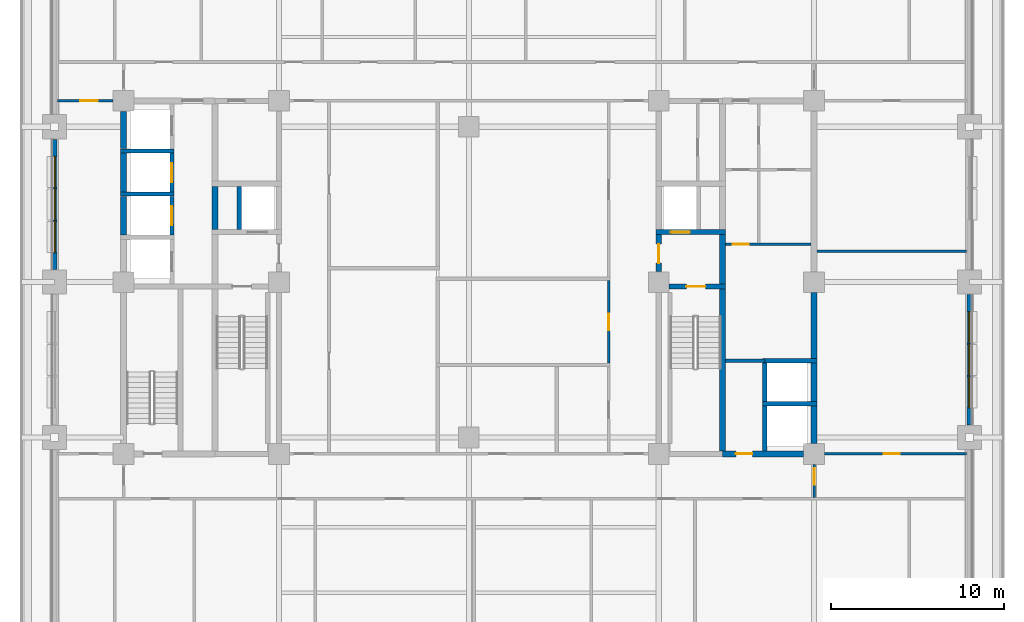
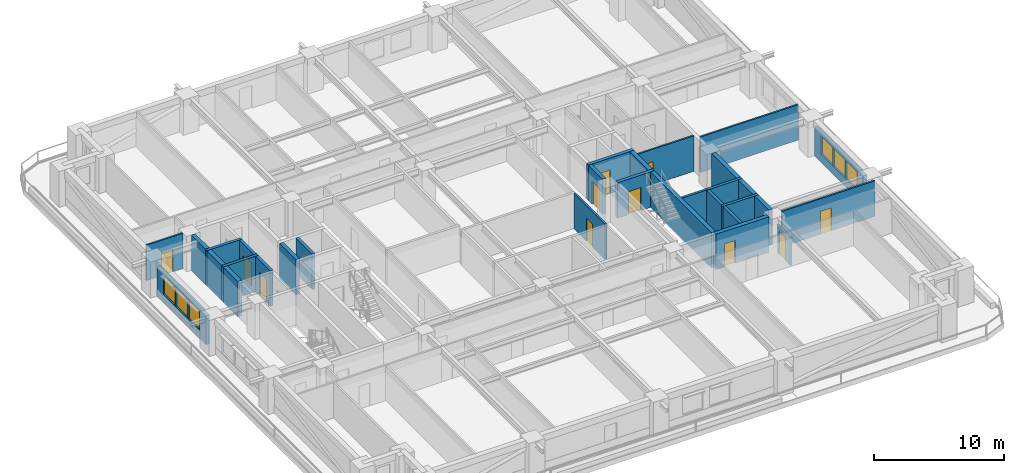
# One storey, part 4 of 15: 31 walls, 11 doors, 6 windows, 17 openings.
"""IFC4 building model written with IfcOpenShell, lengths in metres."""

from ifc_helpers import new_model, si_unit, direction, frame, frame_2d, origin, place, context, subcontext, project, spatial, rectangle, extrude, material, layer, layer_set, type_object, element, fill, save


model = new_model("IFC4")

# Units and contexts
model_context = context("Model", 3, precision=1e-05, world=origin(), true_north=direction((0.0, 1.0)))
body_context = subcontext(model_context, "Body", "Model", "MODEL_VIEW")
ifc_project = project(units=[si_unit("LENGTHUNIT", "METRE"), si_unit("AREAUNIT", "SQUARE_METRE"), si_unit("VOLUMEUNIT", "CUBIC_METRE"), si_unit("PLANEANGLEUNIT", "RADIAN"), si_unit("MASSUNIT", "GRAM", prefix="KILO")], contexts=[model_context])

# Site, building, storey
site_placement = place(None, origin())
site = spatial("IfcSite", under=ifc_project, at=site_placement, CompositionType="ELEMENT")
building_placement = place(site_placement, origin())
building = spatial("IfcBuilding", under=site, at=building_placement, Name="Zulmaris Gate Convention Tower", CompositionType="ELEMENT")
storey_placement = place(building_placement, frame((0.0, 0.0, 37.909912109375)))
storey = spatial("IfcBuildingStorey", under=building, at=storey_placement, Name="L08", CompositionType="ELEMENT", Elevation=37.909912109375)

# Walls
ifc_material_1 = material(Name="Concrete C50/60", Category="concrete")
ifc_layer_1 = layer(ifc_material_1, 0.25, Name="Concrete C50/60")
ifc_layer_set_1 = layer_set([ifc_layer_1], Name="Concrete C50/60")
wall_type_1 = type_object("IfcWallType", Name="CORE-250", PredefinedType="SOLIDWALL", material=ifc_layer_set_1)
for number, where, z_axis, x_axis, name in (
    (1, (17.02490234375, -7.050048828125, 0.0), (0.0, 0.0, 1.0), (1.0, 0.0, 0.0), "WL-L08-005"),
    (2, (17.02490234375, -4.550048828125, 0.0), (0.0, 0.0, 1.0), (1.0, 0.0, 0.0), "WL-L08-006"),
):
    element("IfcWall", number, at=place(storey_placement, frame(where, z_axis=z_axis, x_axis=x_axis)), inside=storey, type_object=wall_type_1, Name=name, PredefinedType="SOLIDWALL", context=body_context, shape_type="SweptSolid", body=[
        extrude(rectangle(XDim=3.150146484375, YDim=0.25, at=frame_2d((1.5751953125, 0.0))), origin(), (0.0, 0.0, 1.0), 3.320068359375),
    ])
for number, where, z_axis, x_axis, name in (
    (3, (-20.175048828125, 5.10009765625, 0.0), (0.0, 0.0, 1.0), (1.0, 0.0, 0.0), "WL-L08-012"),
    (4, (-20.175048828125, 7.60009765625, 0.0), (0.0, 0.0, 1.0), (1.0, 0.0, 0.0), "WL-L08-015"),
):
    element("IfcWall", number, at=place(storey_placement, frame(where, z_axis=z_axis, x_axis=x_axis)), inside=storey, type_object=wall_type_1, Name=name, PredefinedType="SOLIDWALL", context=body_context, shape_type="SweptSolid", body=[
        extrude(rectangle(XDim=3.10009765625, YDim=0.25, at=frame_2d((1.550048828125, 0.0))), origin(), (0.0, 0.0, 1.0), 3.320068359375),
    ])

# Wall, opening, door
wall_1_placement = place(storey_placement, frame((-17.199951171875, 2.72705078125, 0.0), z_axis=(0.0, 0.0, 1.0), x_axis=(0.0, 1.0, 0.0)))
wall_1 = element("IfcWall", 5, at=wall_1_placement, inside=storey, type_object=wall_type_1, Name="WL-L08-041", PredefinedType="SOLIDWALL", context=body_context, shape_type="SweptSolid", body=[
    extrude(rectangle(XDim=2.245849609375, YDim=0.25, at=frame_2d((1.123046875, 0.0))), origin(), (0.0, 0.0, 1.0), 3.320068359375),
])
opening_1_placement = place(wall_1_placement, frame((0.572998046875, 0.0, 0.0)))
opening_1 = element("IfcOpeningElement", 6, at=opening_1_placement, cuts=wall_1, Name="Opening D-06", PredefinedType="OPENING", context=body_context, shape_type="SweptSolid", body=[
    extrude(rectangle(XDim=1.10009765625, YDim=2.199951171875, at=frame_2d((0.550048828125, 1.10009765625))), frame((0.0, 0.135009765625, 0.0), z_axis=(0.0, -1.0, 0.0), x_axis=(1.0, 0.0, 0.0)), (0.0, 0.0, 1.0), 0.27001953125),
])
ifc_material_2 = material(Name="Brushed Stainless Steel", Category="steel")
door_type_1 = type_object("IfcDoorType", Name="LD-1100", OperationType="NOTDEFINED", PredefinedType="DOOR", material=ifc_material_2)
door_1_placement = place(opening_1_placement, origin())
door_1 = element("IfcDoor", 7, at=door_1_placement, inside=storey, type_object=door_type_1, Name="L08 Lift Landing Door LP-02 13", OperationType="SLIDING_TO_LEFT", OverallHeight=2.199951171875, OverallWidth=1.10009765625, PredefinedType="DOOR", context=body_context, shape_type="SweptSolid", body=[
    extrude(rectangle(XDim=1.10009765625, YDim=2.199951171875, at=frame_2d((0.550048828125, 1.10009765625))), frame((0.0, 0.02490234375, 0.0), z_axis=(0.0, -1.0, 0.0), x_axis=(1.0, 0.0, 0.0)), (0.0, 0.0, 1.0), 0.050048828125),
])
fill(opening_1, door_1)

wall_2_placement = place(storey_placement, frame((-17.199951171875, 5.22705078125, 0.0), z_axis=(0.0, 0.0, 1.0), x_axis=(0.0, 1.0, 0.0)))
wall_2 = element("IfcWall", 8, at=wall_2_placement, inside=storey, type_object=wall_type_1, Name="WL-L08-042", PredefinedType="SOLIDWALL", context=body_context, shape_type="SweptSolid", body=[
    extrude(rectangle(XDim=2.245849609375, YDim=0.25, at=frame_2d((1.123046875, 0.0))), origin(), (0.0, 0.0, 1.0), 3.320068359375),
])
opening_2_placement = place(wall_2_placement, frame((0.572998046875, 0.0, 0.0)))
opening_2 = element("IfcOpeningElement", 9, at=opening_2_placement, cuts=wall_2, Name="Opening D-06", PredefinedType="OPENING", context=body_context, shape_type="SweptSolid", body=[
    extrude(rectangle(XDim=1.10009765625, YDim=2.199951171875, at=frame_2d((0.550048828125, 1.10009765625))), frame((0.0, 0.135009765625, 0.0), z_axis=(0.0, -1.0, 0.0), x_axis=(1.0, 0.0, 0.0)), (0.0, 0.0, 1.0), 0.27001953125),
])
door_2_placement = place(opening_2_placement, origin())
door_2 = element("IfcDoor", 10, at=door_2_placement, inside=storey, type_object=door_type_1, Name="L08 Lift Landing Door LP-03 14", OperationType="SLIDING_TO_LEFT", OverallHeight=2.199951171875, OverallWidth=1.10009765625, PredefinedType="DOOR", context=body_context, shape_type="SweptSolid", body=[
    extrude(rectangle(XDim=1.10009765625, YDim=2.199951171875, at=frame_2d((0.550048828125, 1.10009765625))), frame((0.0, 0.02490234375, 0.0), z_axis=(0.0, -1.0, 0.0), x_axis=(1.0, 0.0, 0.0)), (0.0, 0.0, 1.0), 0.050048828125),
])
fill(opening_2, door_2)

# Walls
wall_3_placement = place(storey_placement, frame((-13.300048828125, 3.052001953125, 0.0), z_axis=(0.0, 0.0, 1.0), x_axis=(0.0, 1.0, 0.0)))
element("IfcWall", 11, at=wall_3_placement, inside=storey, type_object=wall_type_1, Name="WL-L08-049", PredefinedType="SOLIDWALL", context=body_context, shape_type="SweptSolid", body=[
    extrude(rectangle(XDim=2.49609375, YDim=0.25, at=frame_2d((1.248046875, 0.0))), origin(), (0.0, 0.0, 1.0), 3.320068359375),
])
wall_4_placement = place(storey_placement, frame((17.14990234375, -9.77294921875, 0.0), z_axis=(0.0, 0.0, 1.0), x_axis=(0.0, 1.0, 0.0)))
element("IfcWall", 12, at=wall_4_placement, inside=storey, type_object=wall_type_1, Name="WL-L08-065", PredefinedType="SOLIDWALL", context=body_context, shape_type="SweptSolid", body=[
    extrude(rectangle(XDim=2.595947265625, YDim=0.25, at=frame_2d((1.2978515625, 0.0))), origin(), (0.0, 0.0, 1.0), 3.320068359375),
])
wall_5_placement = place(storey_placement, frame((17.14990234375, -6.923095703125, 0.0), z_axis=(0.0, 0.0, 1.0), x_axis=(0.0, 1.0, 0.0)))
element("IfcWall", 13, at=wall_5_placement, inside=storey, type_object=wall_type_1, Name="WL-L08-066", PredefinedType="SOLIDWALL", context=body_context, shape_type="SweptSolid", body=[
    extrude(rectangle(XDim=2.24609375, YDim=0.25, at=frame_2d((1.123046875, 0.0))), origin(), (0.0, 0.0, 1.0), 3.320068359375),
])

# Wall, opening, door
ifc_layer_2 = layer(ifc_material_1, 0.300048828125, Name="Concrete C50/60")
ifc_layer_set_2 = layer_set([ifc_layer_2], Name="Concrete C50/60")
wall_type_2 = type_object("IfcWallType", Name="CORE-300", PredefinedType="SHEAR", material=ifc_layer_set_2)
wall_6_placement = place(storey_placement, frame((11.60400390625, -0.25, 0.0), z_axis=(0.0, 0.0, 1.0), x_axis=(1.0, 0.0, 0.0)))
wall_6 = element("IfcWall", 14, at=wall_6_placement, inside=storey, type_object=wall_type_2, Name="WL-L08-008", PredefinedType="SHEAR", context=body_context, shape_type="SweptSolid", body=[
    extrude(rectangle(XDim=3.27099609375, YDim=0.300048828125, at=frame_2d((1.635498046875, 0.0))), origin(), (0.0, 0.0, 1.0), 3.320068359375),
])
opening_3_placement = place(wall_6_placement, frame((0.99609375, 0.0, 0.0)))
opening_3 = element("IfcOpeningElement", 15, at=opening_3_placement, cuts=wall_6, Name="Opening D-08", PredefinedType="OPENING", context=body_context, shape_type="SweptSolid", body=[
    extrude(rectangle(XDim=1.10009765625, YDim=2.14990234375, at=frame_2d((0.550048828125, 1.074951171875))), frame((0.0, 0.16015625, 0.0), z_axis=(0.0, -1.0, 0.0), x_axis=(1.0, 0.0, 0.0)), (0.0, 0.0, 1.0), 0.320068359375),
])
ifc_material_3 = material(Name="Fire-Rated Steel", Category="steel")
door_type_2 = type_object("IfcDoorType", Name="DR-1100-FD", OperationType="NOTDEFINED", PredefinedType="DOOR", material=ifc_material_3)
door_3_placement = place(opening_3_placement, origin())
door_3 = element("IfcDoor", 16, at=door_3_placement, inside=storey, type_object=door_type_2, Name="L08 Exit Stair ST-2 Door 04", OperationType="SINGLE_SWING_LEFT", OverallHeight=2.14990234375, OverallWidth=1.10009765625, PredefinedType="DOOR", context=body_context, shape_type="SweptSolid", body=[
    extrude(rectangle(XDim=1.10009765625, YDim=2.14990234375, at=frame_2d((0.550048828125, 1.074951171875))), frame((0.0, 0.02490234375, 0.0), z_axis=(0.0, -1.0, 0.0), x_axis=(1.0, 0.0, 0.0)), (0.0, 0.0, 1.0), 0.050048828125),
])
fill(opening_3, door_3)

wall_7_placement = place(storey_placement, frame((10.85009765625, 2.89990234375, 0.0), z_axis=(0.0, 0.0, 1.0), x_axis=(1.0, 0.0, 0.0)))
wall_7 = element("IfcWall", 17, at=wall_7_placement, inside=storey, type_object=wall_type_2, Name="WL-L08-011", PredefinedType="SHEAR", context=body_context, shape_type="SweptSolid", body=[
    extrude(rectangle(XDim=4.02490234375, YDim=0.300048828125, at=frame_2d((2.012451171875, 0.0))), origin(), (0.0, 0.0, 1.0), 3.320068359375),
])
opening_4_placement = place(wall_7_placement, frame((0.85009765625, 0.0, 0.0)))
opening_4 = element("IfcOpeningElement", 18, at=opening_4_placement, cuts=wall_7, Name="Opening D-06", PredefinedType="OPENING", context=body_context, shape_type="SweptSolid", body=[
    extrude(rectangle(XDim=1.10009765625, YDim=2.199951171875, at=frame_2d((0.550048828125, 1.10009765625))), frame((0.0, 0.16015625, 0.0), z_axis=(0.0, -1.0, 0.0), x_axis=(1.0, 0.0, 0.0)), (0.0, 0.0, 1.0), 0.320068359375),
])
door_4_placement = place(opening_4_placement, origin())
door_4 = element("IfcDoor", 19, at=door_4_placement, inside=storey, type_object=door_type_1, Name="L08 Lift Landing Door LF-02 06", OperationType="SLIDING_TO_RIGHT", OverallHeight=2.199951171875, OverallWidth=1.10009765625, PredefinedType="DOOR", context=body_context, shape_type="SweptSolid", body=[
    extrude(rectangle(XDim=1.10009765625, YDim=2.199951171875, at=frame_2d((0.550048828125, 1.10009765625))), frame((0.0, 0.02490234375, 0.0), z_axis=(0.0, -1.0, 0.0), x_axis=(1.0, 0.0, 0.0)), (0.0, 0.0, 1.0), 0.050048828125),
])
fill(opening_4, door_4)

wall_8_placement = place(storey_placement, frame((11.0, 0.60400390625, 0.0), z_axis=(0.0, 0.0, 1.0), x_axis=(0.0, 1.0, 0.0)))
wall_8 = element("IfcWall", 20, at=wall_8_placement, inside=storey, type_object=wall_type_2, Name="WL-L08-056", PredefinedType="SHEAR", context=body_context, shape_type="SweptSolid", body=[
    extrude(rectangle(XDim=2.14404296875, YDim=0.300048828125, at=frame_2d((1.072021484375, 0.0))), origin(), (0.0, 0.0, 1.0), 3.320068359375),
])
opening_5_placement = place(wall_8_placement, frame((0.49609375, 0.0, 0.0)))
opening_5 = element("IfcOpeningElement", 21, at=opening_5_placement, cuts=wall_8, Name="Opening D-08", PredefinedType="OPENING", context=body_context, shape_type="SweptSolid", body=[
    extrude(rectangle(XDim=1.10009765625, YDim=2.14990234375, at=frame_2d((0.550048828125, 1.074951171875))), frame((0.0, 0.16015625, 0.0), z_axis=(0.0, -1.0, 0.0), x_axis=(1.0, 0.0, 0.0)), (0.0, 0.0, 1.0), 0.320068359375),
])
door_5_placement = place(opening_5_placement, origin())
door_5 = element("IfcDoor", 22, at=door_5_placement, inside=storey, type_object=door_type_2, Name="L08 East Firefighting Lobby Door 05", OperationType="SINGLE_SWING_RIGHT", OverallHeight=2.14990234375, OverallWidth=1.10009765625, PredefinedType="DOOR", context=body_context, shape_type="SweptSolid", body=[
    extrude(rectangle(XDim=1.10009765625, YDim=2.14990234375, at=frame_2d((0.550048828125, 1.074951171875))), frame((0.0, 0.02490234375, 0.0), z_axis=(0.0, -1.0, 0.0), x_axis=(1.0, 0.0, 0.0)), (0.0, 0.0, 1.0), 0.050048828125),
])
fill(opening_5, door_5)

ifc_material_4 = material(Name="Concrete C55/67", Category="concrete")
ifc_layer_3 = layer(ifc_material_4, 0.35009765625, Name="Concrete C55/67")
ifc_layer_set_3 = layer_set([ifc_layer_3], Name="Concrete C55/67")
wall_type_3 = type_object("IfcWallType", Name="CORE-350", PredefinedType="SHEAR", material=ifc_layer_set_3)
wall_9_placement = place(storey_placement, frame((14.699951171875, -9.949951171875, 0.0), z_axis=(0.0, 0.0, 1.0), x_axis=(1.0, 0.0, 0.0)))
wall_9 = element("IfcWall", 23, at=wall_9_placement, inside=storey, type_object=wall_type_3, Name="WL-L08-004", PredefinedType="SHEAR", context=body_context, shape_type="SweptSolid", body=[
    extrude(rectangle(XDim=4.696044921875, YDim=0.35009765625, at=frame_2d((2.34814453125, 0.0))), origin(), (0.0, 0.0, 1.0), 3.320068359375),
])
opening_6_placement = place(wall_9_placement, frame((0.77490234375, 0.0, 0.0)))
opening_6 = element("IfcOpeningElement", 24, at=opening_6_placement, cuts=wall_9, Name="Opening D-11", PredefinedType="OPENING", context=body_context, shape_type="SweptSolid", body=[
    extrude(rectangle(XDim=0.949951171875, YDim=2.14990234375, at=frame_2d((0.47509765625, 1.074951171875))), frame((0.0, 0.18505859375, 0.0), z_axis=(0.0, -1.0, 0.0), x_axis=(1.0, 0.0, 0.0)), (0.0, 0.0, 1.0), 0.3701171875),
])
ifc_material_5 = material(Name="Fire-Rated Timber", Category="wood")
door_type_3 = type_object("IfcDoorType", Name="DR-950-FD", OperationType="NOTDEFINED", PredefinedType="DOOR", material=ifc_material_5)
door_6_placement = place(opening_6_placement, origin())
door_6 = element("IfcDoor", 25, at=door_6_placement, inside=storey, type_object=door_type_3, Name="L08 East Cleaners Store Door 16", OperationType="SINGLE_SWING_RIGHT", OverallHeight=2.14990234375, OverallWidth=0.949951171875, PredefinedType="DOOR", context=body_context, shape_type="SweptSolid", body=[
    extrude(rectangle(XDim=0.949951171875, YDim=2.14990234375, at=frame_2d((0.47509765625, 1.074951171875))), frame((0.0, 0.02490234375, 0.0), z_axis=(0.0, -1.0, 0.0), x_axis=(1.0, 0.0, 0.0)), (0.0, 0.0, 1.0), 0.050048828125),
])
fill(opening_6, door_6)

# Walls
for number, where, z_axis, x_axis, name in (
    (26, (-20.0, 2.72705078125, 0.0), (0.0, 0.0, 1.0), (0.0, 1.0, 0.0), "WL-L08-037"),
    (27, (-20.0, 5.22705078125, 0.0), (0.0, 0.0, 1.0), (0.0, 1.0, 0.0), "WL-L08-038"),
):
    element("IfcWall", number, at=place(storey_placement, frame(where, z_axis=z_axis, x_axis=x_axis)), inside=storey, type_object=wall_type_3, Name=name, PredefinedType="SHEAR", context=body_context, shape_type="SweptSolid", body=[
        extrude(rectangle(XDim=2.245849609375, YDim=0.35009765625, at=frame_2d((1.123046875, 0.0))), origin(), (0.0, 0.0, 1.0), 3.320068359375),
    ])
wall_10_placement = place(storey_placement, frame((-20.0, 7.72705078125, 0.0), z_axis=(0.0, 0.0, 1.0), x_axis=(0.0, 1.0, 0.0)))
element("IfcWall", 28, at=wall_10_placement, inside=storey, type_object=wall_type_3, Name="WL-L08-039", PredefinedType="SHEAR", context=body_context, shape_type="SweptSolid", body=[
    extrude(rectangle(XDim=2.1689453125, YDim=0.35009765625, at=frame_2d((1.08447265625, 0.0))), origin(), (0.0, 0.0, 1.0), 3.320068359375),
])
wall_11_placement = place(storey_placement, frame((-14.699951171875, 3.052001953125, 0.0), z_axis=(0.0, 0.0, 1.0), x_axis=(0.0, 1.0, 0.0)))
element("IfcWall", 29, at=wall_11_placement, inside=storey, type_object=wall_type_3, Name="WL-L08-047", PredefinedType="SHEAR", context=body_context, shape_type="SweptSolid", body=[
    extrude(rectangle(XDim=2.49609375, YDim=0.35009765625, at=frame_2d((1.248046875, 0.0))), origin(), (0.0, 0.0, 1.0), 3.320068359375),
])
wall_12_placement = place(storey_placement, frame((14.699951171875, -9.77294921875, 0.0), z_axis=(0.0, 0.0, 1.0), x_axis=(0.0, 1.0, 0.0)))
element("IfcWall", 30, at=wall_12_placement, inside=storey, type_object=wall_type_3, Name="WL-L08-061", PredefinedType="SHEAR", context=body_context, shape_type="SweptSolid", body=[
    extrude(rectangle(XDim=9.370849609375, YDim=0.35009765625, at=frame_2d((4.685546875, 0.0))), origin(), (0.0, 0.0, 1.0), 3.320068359375),
])
wall_13_placement = place(storey_placement, frame((14.699951171875, -0.097900390625, 0.0), z_axis=(0.0, 0.0, 1.0), x_axis=(0.0, 1.0, 0.0)))
element("IfcWall", 31, at=wall_13_placement, inside=storey, type_object=wall_type_3, Name="WL-L08-062", PredefinedType="SHEAR", context=body_context, shape_type="SweptSolid", body=[
    extrude(rectangle(XDim=2.845947265625, YDim=0.35009765625, at=frame_2d((1.4228515625, 0.0))), origin(), (0.0, 0.0, 1.0), 3.320068359375),
])
wall_14_placement = place(storey_placement, frame((20.0, -9.345947265625, 0.0), z_axis=(0.0, 0.0, 1.0), x_axis=(0.0, 1.0, 0.0)))
element("IfcWall", 32, at=wall_14_placement, inside=storey, type_object=wall_type_3, Name="WL-L08-067", PredefinedType="SHEAR", context=body_context, shape_type="SweptSolid", body=[
    extrude(rectangle(XDim=2.1689453125, YDim=0.35009765625, at=frame_2d((1.08447265625, 0.0))), origin(), (0.0, 0.0, 1.0), 3.320068359375),
])
wall_15_placement = place(storey_placement, frame((20.0, -6.923095703125, 0.0), z_axis=(0.0, 0.0, 1.0), x_axis=(0.0, 1.0, 0.0)))
element("IfcWall", 33, at=wall_15_placement, inside=storey, type_object=wall_type_3, Name="WL-L08-068", PredefinedType="SHEAR", context=body_context, shape_type="SweptSolid", body=[
    extrude(rectangle(XDim=2.24609375, YDim=0.35009765625, at=frame_2d((1.123046875, 0.0))), origin(), (0.0, 0.0, 1.0), 3.320068359375),
])
wall_16_placement = place(storey_placement, frame((20.0, -4.423095703125, 0.0), z_axis=(0.0, 0.0, 1.0), x_axis=(0.0, 1.0, 0.0)))
element("IfcWall", 34, at=wall_16_placement, inside=storey, type_object=wall_type_3, Name="WL-L08-069", PredefinedType="SHEAR", context=body_context, shape_type="SweptSolid", body=[
    extrude(rectangle(XDim=3.819091796875, YDim=0.35009765625, at=frame_2d((1.90966796875, 0.0))), origin(), (0.0, 0.0, 1.0), 3.320068359375),
])

# Wall, opening, door
ifc_material_6 = material(Name="Gypsum Metal Stud Partition")
ifc_layer_4 = layer(ifc_material_6, 0.14990234375, Name="Gypsum Metal Stud Partition")
ifc_layer_set_4 = layer_set([ifc_layer_4], Name="Gypsum Metal Stud Partition")
wall_type_4 = type_object("IfcWallType", Name="PART-150", PredefinedType="PARTITIONING", material=ifc_layer_set_4)
wall_17_placement = place(storey_placement, frame((20.60595703125, -9.949951171875, 0.0), z_axis=(0.0, 0.0, 1.0), x_axis=(1.0, 0.0, 0.0)))
wall_17 = element("IfcWall", 35, at=wall_17_placement, inside=storey, type_object=wall_type_4, Name="WL-L08-023", PredefinedType="PARTITIONING", context=body_context, shape_type="SweptSolid", body=[
    extrude(rectangle(XDim=8.22900390625, YDim=0.14990234375, at=frame_2d((4.114501953125, 0.0))), origin(), (0.0, 0.0, 1.0), 3.320068359375),
])
opening_7_placement = place(wall_17_placement, frame((3.4189453125, 0.0, 0.0)))
opening_7 = element("IfcOpeningElement", 36, at=opening_7_placement, cuts=wall_17, Name="Opening D-11", PredefinedType="OPENING", context=body_context, shape_type="SweptSolid", body=[
    extrude(rectangle(XDim=0.949951171875, YDim=2.14990234375, at=frame_2d((0.47509765625, 1.074951171875))), frame((0.0, 0.0849609375, 0.0), z_axis=(0.0, -1.0, 0.0), x_axis=(1.0, 0.0, 0.0)), (0.0, 0.0, 1.0), 0.169921875),
])
door_7_placement = place(opening_7_placement, origin())
door_7 = element("IfcDoor", 37, at=door_7_placement, inside=storey, type_object=door_type_3, Name="L08 SE Partner Door 51", OperationType="SINGLE_SWING_LEFT", OverallHeight=2.14990234375, OverallWidth=0.949951171875, PredefinedType="DOOR", context=body_context, shape_type="SweptSolid", body=[
    extrude(rectangle(XDim=0.949951171875, YDim=2.14990234375, at=frame_2d((0.47509765625, 1.074951171875))), frame((0.0, 0.02490234375, 0.0), z_axis=(0.0, -1.0, 0.0), x_axis=(1.0, 0.0, 0.0)), (0.0, 0.0, 1.0), 0.050048828125),
])
fill(opening_7, door_7)

# Wall
wall_18_placement = place(storey_placement, frame((20.177978515625, 1.800048828125, 0.0), z_axis=(0.0, 0.0, 1.0), x_axis=(1.0, 0.0, 0.0)))
element("IfcWall", 38, at=wall_18_placement, inside=storey, type_object=wall_type_4, Name="WL-L08-028", PredefinedType="PARTITIONING", context=body_context, shape_type="SweptSolid", body=[
    extrude(rectangle(XDim=8.656982421875, YDim=0.14990234375, at=frame_2d((4.32861328125, 0.0))), origin(), (0.0, 0.0, 1.0), 3.320068359375),
])

# Wall, opening, door
wall_19_placement = place(storey_placement, frame((14.8779296875, 2.199951171875, 0.0), z_axis=(0.0, 0.0, 1.0), x_axis=(1.0, 0.0, 0.0)))
wall_19 = element("IfcWall", 39, at=wall_19_placement, inside=storey, type_object=wall_type_4, Name="WL-L08-029", PredefinedType="PARTITIONING", context=body_context, shape_type="SweptSolid", body=[
    extrude(rectangle(XDim=4.944091796875, YDim=0.14990234375, at=frame_2d((2.47216796875, 0.0))), origin(), (0.0, 0.0, 1.0), 3.320068359375),
])
opening_8_placement = place(wall_19_placement, frame((0.39697265625, 0.0, 0.0)))
opening_8 = element("IfcOpeningElement", 40, at=opening_8_placement, cuts=wall_19, Name="Opening D-11", PredefinedType="OPENING", context=body_context, shape_type="SweptSolid", body=[
    extrude(rectangle(XDim=0.949951171875, YDim=2.14990234375, at=frame_2d((0.47509765625, 1.074951171875))), frame((0.0, 0.0849609375, 0.0), z_axis=(0.0, -1.0, 0.0), x_axis=(1.0, 0.0, 0.0)), (0.0, 0.0, 1.0), 0.169921875),
])
door_8_placement = place(opening_8_placement, origin())
door_8 = element("IfcDoor", 41, at=door_8_placement, inside=storey, type_object=door_type_3, Name="L08 East Switchroom Door 19", OperationType="SINGLE_SWING_LEFT", OverallHeight=2.14990234375, OverallWidth=0.949951171875, PredefinedType="DOOR", context=body_context, shape_type="SweptSolid", body=[
    extrude(rectangle(XDim=0.949951171875, YDim=2.14990234375, at=frame_2d((0.47509765625, 1.074951171875))), frame((0.0, 0.02490234375, 0.0), z_axis=(0.0, -1.0, 0.0), x_axis=(1.0, 0.0, 0.0)), (0.0, 0.0, 1.0), 0.050048828125),
])
fill(opening_8, door_8)

wall_20_placement = place(storey_placement, frame((-23.8349609375, 10.5, 0.0), z_axis=(0.0, 0.0, 1.0), x_axis=(1.0, 0.0, 0.0)))
wall_20 = element("IfcWall", 42, at=wall_20_placement, inside=storey, type_object=wall_type_4, Name="WL-L08-031", PredefinedType="PARTITIONING", context=body_context, shape_type="SweptSolid", body=[
    extrude(rectangle(XDim=3.22900390625, YDim=0.14990234375, at=frame_2d((1.614501953125, 0.0))), origin(), (0.0, 0.0, 1.0), 3.320068359375),
])
opening_9_placement = place(wall_20_placement, frame((1.3349609375, 0.0, 0.0)))
opening_9 = element("IfcOpeningElement", 43, at=opening_9_placement, cuts=wall_20, Name="Opening D-10", PredefinedType="OPENING", context=body_context, shape_type="SweptSolid", body=[
    extrude(rectangle(XDim=1.0, YDim=2.14990234375, at=frame_2d((0.5, 1.074951171875))), frame((0.0, 0.0849609375, 0.0), z_axis=(0.0, -1.0, 0.0), x_axis=(1.0, 0.0, 0.0)), (0.0, 0.0, 1.0), 0.169921875),
])
door_type_4 = type_object("IfcDoorType", Name="DR-1000-FD", OperationType="NOTDEFINED", PredefinedType="DOOR", material=ifc_material_5)
door_9_placement = place(opening_9_placement, origin())
door_9 = element("IfcDoor", 44, at=door_9_placement, inside=storey, type_object=door_type_4, Name="L08 West Workplace North Door 46", OperationType="SINGLE_SWING_RIGHT", OverallHeight=2.14990234375, OverallWidth=1.0, PredefinedType="DOOR", context=body_context, shape_type="SweptSolid", body=[
    extrude(rectangle(XDim=1.0, YDim=2.14990234375, at=frame_2d((0.5, 1.074951171875))), frame((0.0, 0.02490234375, 0.0), z_axis=(0.0, -1.0, 0.0), x_axis=(1.0, 0.0, 0.0)), (0.0, 0.0, 1.0), 0.050048828125),
])
fill(opening_9, door_9)

wall_21_placement = place(storey_placement, frame((8.10009765625, -4.697021484375, 0.0), z_axis=(0.0, 0.0, 1.0), x_axis=(0.0, 1.0, 0.0)))
wall_21 = element("IfcWall", 45, at=wall_21_placement, inside=storey, type_object=wall_type_4, Name="WL-L08-090", PredefinedType="PARTITIONING", context=body_context, shape_type="SweptSolid", body=[
    extrude(rectangle(XDim=4.7939453125, YDim=0.14990234375, at=frame_2d((2.39697265625, 0.0))), origin(), (0.0, 0.0, 1.0), 3.320068359375),
])
opening_10_placement = place(wall_21_placement, frame((1.922119140625, 0.0, 0.0)))
opening_10 = element("IfcOpeningElement", 46, at=opening_10_placement, cuts=wall_21, Name="Opening D-11", PredefinedType="OPENING", context=body_context, shape_type="SweptSolid", body=[
    extrude(rectangle(XDim=0.949951171875, YDim=2.14990234375, at=frame_2d((0.47509765625, 1.074951171875))), frame((0.0, 0.0849609375, 0.0), z_axis=(0.0, -1.0, 0.0), x_axis=(1.0, 0.0, 0.0)), (0.0, 0.0, 1.0), 0.169921875),
])
door_10_placement = place(opening_10_placement, origin())
door_10 = element("IfcDoor", 47, at=door_10_placement, inside=storey, type_object=door_type_3, Name="L08 Public WC Door 41", OperationType="SINGLE_SWING_LEFT", OverallHeight=2.14990234375, OverallWidth=0.949951171875, PredefinedType="DOOR", context=body_context, shape_type="SweptSolid", body=[
    extrude(rectangle(XDim=0.949951171875, YDim=2.14990234375, at=frame_2d((0.47509765625, 1.074951171875))), frame((0.0, 0.02490234375, 0.0), z_axis=(0.0, -1.0, 0.0), x_axis=(1.0, 0.0, 0.0)), (0.0, 0.0, 1.0), 0.050048828125),
])
fill(opening_10, door_10)

wall_22_placement = place(storey_placement, frame((20.0, -12.471923828125, 0.0), z_axis=(0.0, 0.0, 1.0), x_axis=(0.0, 1.0, 0.0)))
wall_22 = element("IfcWall", 48, at=wall_22_placement, inside=storey, type_object=wall_type_4, Name="WL-L08-097", PredefinedType="PARTITIONING", context=body_context, shape_type="SweptSolid", body=[
    extrude(rectangle(XDim=1.916015625, YDim=0.14990234375, at=frame_2d((0.9580078125, 0.0))), origin(), (0.0, 0.0, 1.0), 2.66015625),
])
opening_11_placement = place(wall_22_placement, frame((0.7470703125, 0.0, 0.0)))
opening_11 = element("IfcOpeningElement", 49, at=opening_11_placement, cuts=wall_22, Name="Opening D-11", PredefinedType="OPENING", context=body_context, shape_type="SweptSolid", body=[
    extrude(rectangle(XDim=0.949951171875, YDim=2.14990234375, at=frame_2d((0.47509765625, 1.074951171875))), frame((0.0, 0.0849609375, 0.0), z_axis=(0.0, -1.0, 0.0), x_axis=(1.0, 0.0, 0.0)), (0.0, 0.0, 1.0), 0.169921875),
])
door_11_placement = place(opening_11_placement, origin())
door_11 = element("IfcDoor", 50, at=door_11_placement, inside=storey, type_object=door_type_3, Name="L08 SE Spur Door 49", OperationType="SINGLE_SWING_LEFT", OverallHeight=2.14990234375, OverallWidth=0.949951171875, PredefinedType="DOOR", context=body_context, shape_type="SweptSolid", body=[
    extrude(rectangle(XDim=0.949951171875, YDim=2.14990234375, at=frame_2d((0.47509765625, 1.074951171875))), frame((0.0, 0.02490234375, 0.0), z_axis=(0.0, -1.0, 0.0), x_axis=(1.0, 0.0, 0.0)), (0.0, 0.0, 1.0), 0.050048828125),
])
fill(opening_11, door_11)

# Wall
ifc_material_7 = material(Name="Autoclaved Aerated Concrete Block and Plasterboard", Category="concrete")
ifc_layer_5 = layer(ifc_material_7, 0.199951171875, Name="Autoclaved Aerated Concrete Block and Plasterboard")
ifc_layer_set_5 = layer_set([ifc_layer_5], Name="Autoclaved Aerated Concrete Block and Plasterboard")
wall_type_5 = type_object("IfcWallType", Name="PART-200", PredefinedType="PARTITIONING", material=ifc_layer_set_5)
wall_23_placement = place(storey_placement, frame((14.8779296875, -4.550048828125, 0.0), z_axis=(0.0, 0.0, 1.0), x_axis=(1.0, 0.0, 0.0)))
element("IfcWall", 51, at=wall_23_placement, inside=storey, type_object=wall_type_5, Name="WL-L08-025", PredefinedType="PARTITIONING", context=body_context, shape_type="SweptSolid", body=[
    extrude(rectangle(XDim=2.27197265625, YDim=0.199951171875, at=frame_2d((1.135986328125, 0.0))), origin(), (0.0, 0.0, 1.0), 3.320068359375),
])

# Wall, openings, windows
ifc_material_8 = material(Name="Precast concrete C40/50", Category="concrete")
ifc_layer_6 = layer(ifc_material_8, 0.300048828125, Name="Precast concrete C40/50")
ifc_layer_set_6 = layer_set([ifc_layer_6], Name="Precast concrete C40/50")
wall_type_6 = type_object("IfcWallType", Name="PRECAST-PIER-300", PredefinedType="STANDARD", material=ifc_layer_set_6)
wall_24_placement = place(storey_placement, frame((29.0, -8.27001953125, 0.0), z_axis=(0.0, 0.0, 1.0), x_axis=(0.0, 1.0, 0.0)))
wall_24 = element("IfcWall", 52, at=wall_24_placement, inside=storey, type_object=wall_type_6, Name="EW-L08-E-1_0", PredefinedType="STANDARD", context=body_context, shape_type="SweptSolid", body=[
    extrude(rectangle(XDim=7.5400390625, YDim=0.300048828125, at=frame_2d((3.77001953125, 0.0))), origin(), (0.0, 0.0, 1.0), 2.712158203125),
])
opening_12_placement = place(wall_24_placement, frame((0.985107421875, 0.0, 0.780029296875)))
opening_12 = element("IfcOpeningElement", 53, at=opening_12_placement, cuts=wall_24, Name="Opening W-02", PredefinedType="OPENING", context=body_context, shape_type="SweptSolid", body=[
    extrude(rectangle(XDim=1.800048828125, YDim=1.719970703125, at=frame_2d((0.89990234375, 0.85986328125))), frame((0.0, 0.16015625, 0.0), z_axis=(0.0, -1.0, 0.0), x_axis=(1.0, 0.0, 0.0)), (0.0, 0.0, 1.0), 0.320068359375),
])
opening_13_placement = place(wall_24_placement, frame((2.8701171875, 0.0, 0.780029296875)))
opening_13 = element("IfcOpeningElement", 54, at=opening_13_placement, cuts=wall_24, Name="Opening W-02", PredefinedType="OPENING", context=body_context, shape_type="SweptSolid", body=[
    extrude(rectangle(XDim=1.800048828125, YDim=1.719970703125, at=frame_2d((0.89990234375, 0.85986328125))), frame((0.0, 0.16015625, 0.0), z_axis=(0.0, -1.0, 0.0), x_axis=(1.0, 0.0, 0.0)), (0.0, 0.0, 1.0), 0.320068359375),
])
opening_14_placement = place(wall_24_placement, frame((4.7548828125, 0.0, 0.780029296875)))
opening_14 = element("IfcOpeningElement", 55, at=opening_14_placement, cuts=wall_24, Name="Opening W-02", PredefinedType="OPENING", context=body_context, shape_type="SweptSolid", body=[
    extrude(rectangle(XDim=1.800048828125, YDim=1.719970703125, at=frame_2d((0.89990234375, 0.85986328125))), frame((0.0, 0.16015625, 0.0), z_axis=(0.0, -1.0, 0.0), x_axis=(1.0, 0.0, 0.0)), (0.0, 0.0, 1.0), 0.320068359375),
])
ifc_material_9 = material(Name="Low-E Laminated Double Glazing in Aluminium Frame", Category="aluminium")
window_type = type_object("IfcWindowType", Name="WIN-1800x2200", PartitioningType="SINGLE_PANEL", PredefinedType="WINDOW", material=ifc_material_9)
window_1_placement = place(opening_12_placement, origin())
window_1 = element("IfcWindow", 56, at=window_1_placement, inside=storey, type_object=window_type, Name="WN-EW-L08-E-1_0-1", OverallHeight=1.719970703125, OverallWidth=1.800048828125, PartitioningType="SINGLE_PANEL", PredefinedType="WINDOW", context=body_context, shape_type="SweptSolid", body=[
    extrude(rectangle(XDim=1.800048828125, YDim=1.719970703125, at=frame_2d((0.89990234375, 0.85986328125))), frame((0.0, 0.030029296875, 0.0), z_axis=(0.0, -1.0, 0.0), x_axis=(1.0, 0.0, 0.0)), (0.0, 0.0, 1.0), 0.06005859375),
])
fill(opening_12, window_1)
window_2_placement = place(opening_13_placement, origin())
window_2 = element("IfcWindow", 57, at=window_2_placement, inside=storey, type_object=window_type, Name="WN-EW-L08-E-1_0-2", OverallHeight=1.719970703125, OverallWidth=1.800048828125, PartitioningType="SINGLE_PANEL", PredefinedType="WINDOW", context=body_context, shape_type="SweptSolid", body=[
    extrude(rectangle(XDim=1.800048828125, YDim=1.719970703125, at=frame_2d((0.89990234375, 0.85986328125))), frame((0.0, 0.030029296875, 0.0), z_axis=(0.0, -1.0, 0.0), x_axis=(1.0, 0.0, 0.0)), (0.0, 0.0, 1.0), 0.06005859375),
])
fill(opening_13, window_2)
window_3_placement = place(opening_14_placement, origin())
window_3 = element("IfcWindow", 58, at=window_3_placement, inside=storey, type_object=window_type, Name="WN-EW-L08-E-1_0-3", OverallHeight=1.719970703125, OverallWidth=1.800048828125, PartitioningType="SINGLE_PANEL", PredefinedType="WINDOW", context=body_context, shape_type="SweptSolid", body=[
    extrude(rectangle(XDim=1.800048828125, YDim=1.719970703125, at=frame_2d((0.89990234375, 0.85986328125))), frame((0.0, 0.030029296875, 0.0), z_axis=(0.0, -1.0, 0.0), x_axis=(1.0, 0.0, 0.0)), (0.0, 0.0, 1.0), 0.06005859375),
])
fill(opening_14, window_3)

wall_25_placement = place(storey_placement, frame((-24.0, 8.27001953125, 0.0), z_axis=(0.0, 0.0, 1.0), x_axis=(0.0, -1.0, 0.0)))
wall_25 = element("IfcWall", 59, at=wall_25_placement, inside=storey, type_object=wall_type_6, Name="EW-L08-W-2_0", PredefinedType="STANDARD", context=body_context, shape_type="SweptSolid", body=[
    extrude(rectangle(XDim=7.5400390625, YDim=0.300048828125, at=frame_2d((3.77001953125, 0.0))), origin(), (0.0, 0.0, 1.0), 2.712158203125),
])
opening_15_placement = place(wall_25_placement, frame((0.985107421875, 0.0, 0.780029296875)))
opening_15 = element("IfcOpeningElement", 60, at=opening_15_placement, cuts=wall_25, Name="Opening W-02", PredefinedType="OPENING", context=body_context, shape_type="SweptSolid", body=[
    extrude(rectangle(XDim=1.800048828125, YDim=1.719970703125, at=frame_2d((0.89990234375, 0.85986328125))), frame((0.0, 0.16015625, 0.0), z_axis=(0.0, -1.0, 0.0), x_axis=(1.0, 0.0, 0.0)), (0.0, 0.0, 1.0), 0.320068359375),
])
opening_16_placement = place(wall_25_placement, frame((2.8701171875, 0.0, 0.780029296875)))
opening_16 = element("IfcOpeningElement", 61, at=opening_16_placement, cuts=wall_25, Name="Opening W-02", PredefinedType="OPENING", context=body_context, shape_type="SweptSolid", body=[
    extrude(rectangle(XDim=1.800048828125, YDim=1.719970703125, at=frame_2d((0.89990234375, 0.85986328125))), frame((0.0, 0.16015625, 0.0), z_axis=(0.0, -1.0, 0.0), x_axis=(1.0, 0.0, 0.0)), (0.0, 0.0, 1.0), 0.320068359375),
])
opening_17_placement = place(wall_25_placement, frame((4.7548828125, 0.0, 0.780029296875)))
opening_17 = element("IfcOpeningElement", 62, at=opening_17_placement, cuts=wall_25, Name="Opening W-02", PredefinedType="OPENING", context=body_context, shape_type="SweptSolid", body=[
    extrude(rectangle(XDim=1.800048828125, YDim=1.719970703125, at=frame_2d((0.89990234375, 0.85986328125))), frame((0.0, 0.16015625, 0.0), z_axis=(0.0, -1.0, 0.0), x_axis=(1.0, 0.0, 0.0)), (0.0, 0.0, 1.0), 0.320068359375),
])
window_4_placement = place(opening_15_placement, origin())
window_4 = element("IfcWindow", 63, at=window_4_placement, inside=storey, type_object=window_type, Name="WN-EW-L08-W-2_0-1", OverallHeight=1.719970703125, OverallWidth=1.800048828125, PartitioningType="SINGLE_PANEL", PredefinedType="WINDOW", context=body_context, shape_type="SweptSolid", body=[
    extrude(rectangle(XDim=1.800048828125, YDim=1.719970703125, at=frame_2d((0.89990234375, 0.85986328125))), frame((0.0, 0.030029296875, 0.0), z_axis=(0.0, -1.0, 0.0), x_axis=(1.0, 0.0, 0.0)), (0.0, 0.0, 1.0), 0.06005859375),
])
fill(opening_15, window_4)
window_5_placement = place(opening_16_placement, origin())
window_5 = element("IfcWindow", 64, at=window_5_placement, inside=storey, type_object=window_type, Name="WN-EW-L08-W-2_0-2", OverallHeight=1.719970703125, OverallWidth=1.800048828125, PartitioningType="SINGLE_PANEL", PredefinedType="WINDOW", context=body_context, shape_type="SweptSolid", body=[
    extrude(rectangle(XDim=1.800048828125, YDim=1.719970703125, at=frame_2d((0.89990234375, 0.85986328125))), frame((0.0, 0.030029296875, 0.0), z_axis=(0.0, -1.0, 0.0), x_axis=(1.0, 0.0, 0.0)), (0.0, 0.0, 1.0), 0.06005859375),
])
fill(opening_16, window_5)
window_6_placement = place(opening_17_placement, origin())
window_6 = element("IfcWindow", 65, at=window_6_placement, inside=storey, type_object=window_type, Name="WN-EW-L08-W-2_0-3", OverallHeight=1.719970703125, OverallWidth=1.800048828125, PartitioningType="SINGLE_PANEL", PredefinedType="WINDOW", context=body_context, shape_type="SweptSolid", body=[
    extrude(rectangle(XDim=1.800048828125, YDim=1.719970703125, at=frame_2d((0.89990234375, 0.85986328125))), frame((0.0, 0.030029296875, 0.0), z_axis=(0.0, -1.0, 0.0), x_axis=(1.0, 0.0, 0.0)), (0.0, 0.0, 1.0), 0.06005859375),
])
fill(opening_17, window_6)

save(model, "model.ifc")
